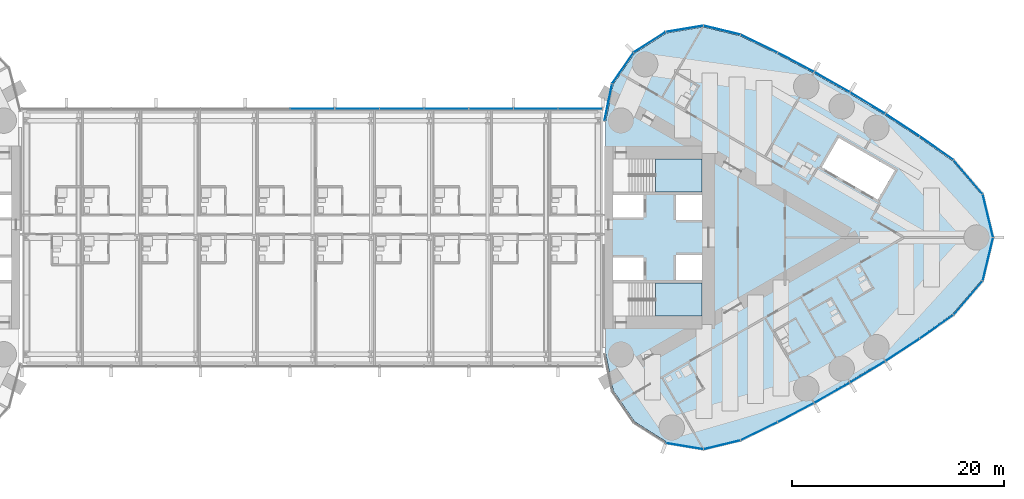
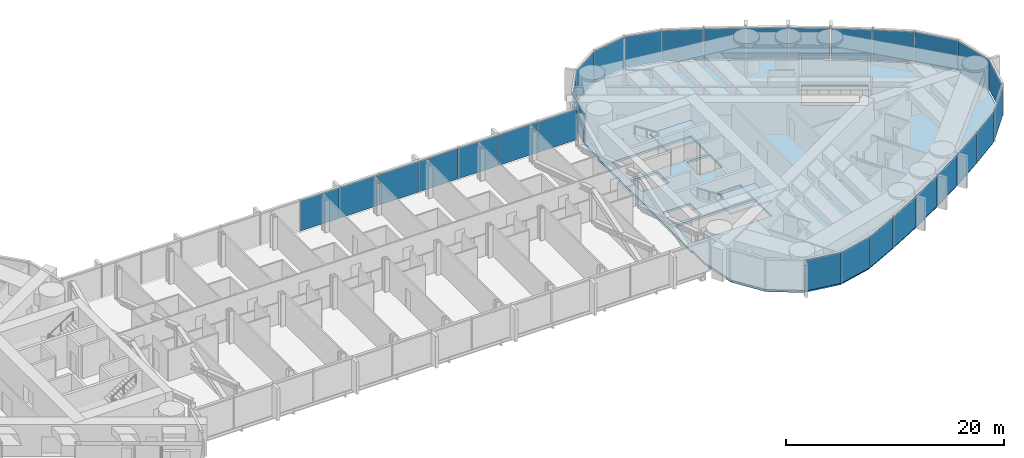
# One storey, part 13 of 23: 30 plates, 3 slabs, 4 elements without a shape of their own.
"""IFC4 building model written with IfcOpenShell, lengths in metres."""

from ifc_helpers import new_model, si_unit, direction, frame, origin, origin_2d, place, context, subcontext, project, spatial, polyline, rectangle, outline, extrude, material, layer, layer_set, type_object, element, aggregate, save


model = new_model("IFC4")

# Units and contexts
model_context = context("Model", 3, precision=1e-05, world=origin(), true_north=direction((0.0, 1.0)))
body_context = subcontext(model_context, "Body", "Model", "MODEL_VIEW")
ifc_project = project(units=[si_unit("LENGTHUNIT", "METRE"), si_unit("AREAUNIT", "SQUARE_METRE"), si_unit("VOLUMEUNIT", "CUBIC_METRE"), si_unit("PLANEANGLEUNIT", "RADIAN"), si_unit("MASSUNIT", "GRAM", prefix="KILO")], contexts=[model_context])

# Site, building, storey
site_placement = place(None, origin())
site = spatial("IfcSite", under=ifc_project, at=site_placement, CompositionType="ELEMENT")
building_placement = place(site_placement, origin())
building = spatial("IfcBuilding", under=site, at=building_placement, Name="Lancet Gate Hotel", CompositionType="ELEMENT")
storey_placement = place(building_placement, frame((0.0, 0.0, 218.89990234375)))
storey = spatial("IfcBuildingStorey", under=building, at=storey_placement, Name="L58", CompositionType="ELEMENT", Elevation=218.89990234375)

# Curtain wall, plates
ifc_material_1 = material(Name="Aluminium curtain wall", Category="aluminium")
curtain_wall_type_1 = type_object("IfcCurtainWallType", Name="Bridge block curtain wall", PredefinedType="USERDEFINED", material=ifc_material_1)
curtain_wall_1_placement = place(storey_placement, origin())
curtain_wall_1 = element("IfcCurtainWall", 1, at=curtain_wall_1_placement, inside=storey, type_object=curtain_wall_type_1, Name="Bridge block L58 curtain wall N", ObjectType="UNITISED CURTAIN WALL", PredefinedType="USERDEFINED")
ifc_material_2 = material(Name="Glass double glazed unit 8-16-6", Category="glass")
ifc_layer_1 = layer(ifc_material_2, 0.030029296875)
ifc_layer_set_1 = layer_set([ifc_layer_1], Name="Block vision panel")
plate_type_1 = type_object("IfcPlateType", Name="Block vision panel", PredefinedType="CURTAIN_PANEL", material=ifc_layer_set_1)
plate_1_placement = place(storey_placement, frame((25.24609375, 12.1201171875, 0.0), z_axis=(0.0, 0.0, 1.0), x_axis=(-1.0, 0.0, 0.0)))
plate_1 = element("IfcPlate", 2, at=plate_1_placement, type_object=plate_type_1, Name="Bridge block L58 curtain wall N panel 1", PredefinedType="CURTAIN_PANEL", context=body_context, shape_type="SweptSolid", body=[
    extrude(rectangle(XDim=4.142578125, YDim=0.030029296875, at=origin_2d()), origin(), (0.0, 0.0, 1.0), 3.449951171875),
])
plate_2_placement = place(storey_placement, frame((21.03857421875, 12.1201171875, 0.0), z_axis=(0.0, 0.0, 1.0), x_axis=(-1.0, 0.0, 0.0)))
plate_2 = element("IfcPlate", 3, at=plate_2_placement, type_object=plate_type_1, Name="Bridge block L58 curtain wall N panel 2", PredefinedType="CURTAIN_PANEL", context=body_context, shape_type="SweptSolid", body=[
    extrude(rectangle(XDim=4.142578125, YDim=0.030029296875, at=origin_2d()), origin(), (0.0, 0.0, 1.0), 3.449951171875),
])
plate_3_placement = place(storey_placement, frame((16.830810546875, 12.1201171875, 0.0), z_axis=(0.0, 0.0, 1.0), x_axis=(-1.0, 0.0, 0.0)))
plate_3 = element("IfcPlate", 4, at=plate_3_placement, type_object=plate_type_1, Name="Bridge block L58 curtain wall N panel 3", PredefinedType="CURTAIN_PANEL", context=body_context, shape_type="SweptSolid", body=[
    extrude(rectangle(XDim=4.142578125, YDim=0.030029296875, at=origin_2d()), origin(), (0.0, 0.0, 1.0), 3.449951171875),
])
plate_4_placement = place(storey_placement, frame((12.623046875, 12.1201171875, 0.0), z_axis=(0.0, 0.0, 1.0), x_axis=(-1.0, 0.0, 0.0)))
plate_4 = element("IfcPlate", 5, at=plate_4_placement, type_object=plate_type_1, Name="Bridge block L58 curtain wall N panel 4", PredefinedType="CURTAIN_PANEL", context=body_context, shape_type="SweptSolid", body=[
    extrude(rectangle(XDim=4.142578125, YDim=0.030029296875, at=origin_2d()), origin(), (0.0, 0.0, 1.0), 3.449951171875),
])
plate_5_placement = place(storey_placement, frame((8.415283203125, 12.1201171875, 0.0), z_axis=(0.0, 0.0, 1.0), x_axis=(-1.0, 0.0, 0.0)))
plate_5 = element("IfcPlate", 6, at=plate_5_placement, type_object=plate_type_1, Name="Bridge block L58 curtain wall N panel 5", PredefinedType="CURTAIN_PANEL", context=body_context, shape_type="SweptSolid", body=[
    extrude(rectangle(XDim=4.142578125, YDim=0.030029296875, at=origin_2d()), origin(), (0.0, 0.0, 1.0), 3.449951171875),
])
plate_6_placement = place(storey_placement, frame((4.207763671875, 12.1201171875, 0.0), z_axis=(0.0, 0.0, 1.0), x_axis=(-1.0, 0.0, 0.0)))
plate_6 = element("IfcPlate", 7, at=plate_6_placement, type_object=plate_type_1, Name="Bridge block L58 curtain wall N panel 6", PredefinedType="CURTAIN_PANEL", context=body_context, shape_type="SweptSolid", body=[
    extrude(rectangle(XDim=4.142578125, YDim=0.030029296875, at=origin_2d()), origin(), (0.0, 0.0, 1.0), 3.449951171875),
])
plate_7_placement = place(storey_placement, frame((0.0, 12.1201171875, 0.0), z_axis=(0.0, 0.0, 1.0), x_axis=(-1.0, 0.0, 0.0)))
plate_7 = element("IfcPlate", 8, at=plate_7_placement, type_object=plate_type_1, Name="Bridge block L58 curtain wall N panel 7", PredefinedType="CURTAIN_PANEL", context=body_context, shape_type="SweptSolid", body=[
    extrude(rectangle(XDim=4.142578125, YDim=0.030029296875, at=origin_2d()), origin(), (0.0, 0.0, 1.0), 3.449951171875),
])
aggregate(curtain_wall_1, [plate_1, plate_2, plate_3, plate_4, plate_5, plate_6, plate_7])

# Slab
ifc_material_3 = material(Name="Concrete C50/60", Category="concrete")
ifc_layer_2 = layer(ifc_material_3, 0.25)
ifc_layer_set_2 = layer_set([ifc_layer_2], Name="Floor slab 250")
slab_type_1 = type_object("IfcSlabType", Name="Floor slab 250", PredefinedType="FLOOR", material=ifc_layer_set_2)
slab_1_placement = place(storey_placement, frame((0.0, 0.0, -0.25)))
element("IfcSlab", 9, at=slab_1_placement, inside=storey, type_object=slab_type_1, Name="T2 L58 floor slab", PredefinedType="FLOOR", context=body_context, shape_type="SweptSolid", body=[
    extrude(outline(polyline([(27.5, -8.60009765625), (27.6201171875, -8.60009765625), (27.6201171875, -10.93603515625), (28.329345703125, -14.419677734375), (30.33740234375, -17.338134765625), (33.326904296875, -19.2392578125), (36.82177734375, -19.81982421875), (40.2763671875, -18.98486328125), (43.753662109375, -17.2890625), (47.18603515625, -15.47998046875), (50.5595703125, -13.56396484375), (53.87158203125, -11.54296875), (57.118408203125, -9.4189453125), (60.2861328125, -7.20166015625), (62.99658203125, -4.03759765625), (63.968017578125, 0.0), (62.99658203125, 4.03759765625), (60.2861328125, 7.20166015625), (57.118408203125, 9.4189453125), (53.87158203125, 11.54296875), (50.5595703125, 13.56396484375), (47.18603515625, 15.47998046875), (43.753662109375, 17.2890625), (40.2763671875, 18.98486328125), (36.82177734375, 19.81982421875), (33.326904296875, 19.2392578125), (30.33740234375, 17.338134765625), (28.329345703125, 14.419677734375), (27.6201171875, 10.93603515625), (27.6201171875, 8.60009765625), (27.5, 8.60009765625), (27.5, 8.199951171875), (27.5, -8.199951171875), (27.5, -8.60009765625)]), holes=[polyline([(36.699951171875, -7.39990234375), (36.699951171875, -4.300048828125), (28.300048828125, -4.300048828125), (28.300048828125, -7.39990234375), (36.699951171875, -7.39990234375)]), polyline([(28.300048828125, -4.0), (31.199951171875, -4.0), (31.199951171875, -1.89990234375), (28.300048828125, -1.89990234375), (28.300048828125, -4.0)]), polyline([(34.25, -4.0), (36.699951171875, -4.0), (36.699951171875, -1.64990234375), (34.25, -1.64990234375), (34.25, -4.0)]), polyline([(36.699951171875, 1.64990234375), (36.699951171875, 4.0), (34.25, 4.0), (34.25, 1.64990234375), (36.699951171875, 1.64990234375)]), polyline([(28.300048828125, 1.89990234375), (31.199951171875, 1.89990234375), (31.199951171875, 4.0), (28.300048828125, 4.0), (28.300048828125, 1.89990234375)]), polyline([(28.300048828125, 4.300048828125), (36.699951171875, 4.300048828125), (36.699951171875, 7.39990234375), (28.300048828125, 7.39990234375), (28.300048828125, 4.300048828125)]), polyline([(53.242919921875, 3.555908203125), (54.843017578125, 6.326904296875), (49.56103515625, 9.376953125), (47.9609375, 6.60595703125), (53.242919921875, 3.555908203125)])]), origin(), (0.0, 0.0, 1.0), 0.25),
])

# Stair, slab
ifc_material_4 = material(Name="Exit stair 20 risers 1500")
stair_type = type_object("IfcStairType", Name="Exit stair 20 risers 1500", PredefinedType="HALF_TURN_STAIR", material=ifc_material_4)
stair_1_placement = place(storey_placement, origin())
stair_1 = element("IfcStair", 10, at=stair_1_placement, inside=storey, type_object=stair_type, Name="T2 stair 1 L58", PredefinedType="HALF_TURN_STAIR")
ifc_material_5 = material(Name="Concrete C40/50", Category="concrete")
ifc_layer_3 = layer(ifc_material_5, 0.199951171875)
ifc_layer_set_3 = layer_set([ifc_layer_3], Name="Stair landing 200")
slab_type_2 = type_object("IfcSlabType", Name="Stair landing 200", PredefinedType="LANDING", material=ifc_layer_set_3)
slab_2_placement = place(storey_placement, frame((0.0, 0.0, 1.60009765625)))
slab_2 = element("IfcSlab", 11, at=slab_2_placement, type_object=slab_type_2, Name="ST3 landing 2", PredefinedType="LANDING", context=body_context, shape_type="SweptSolid", body=[
    extrude(outline(polyline([(32.320068359375, -7.39990234375), (36.699951171875, -7.39990234375), (36.699951171875, -4.300048828125), (32.320068359375, -4.300048828125), (32.320068359375, -7.39990234375)])), origin(), (0.0, 0.0, 1.0), 0.199951171875),
])
aggregate(stair_1, [slab_2])

stair_2_placement = place(storey_placement, origin())
stair_2 = element("IfcStair", 12, at=stair_2_placement, inside=storey, type_object=stair_type, Name="T2 stair 2 L58", PredefinedType="HALF_TURN_STAIR")
slab_3_placement = place(storey_placement, frame((0.0, 0.0, 1.60009765625)))
slab_3 = element("IfcSlab", 13, at=slab_3_placement, type_object=slab_type_2, Name="ST4 landing 2", PredefinedType="LANDING", context=body_context, shape_type="SweptSolid", body=[
    extrude(outline(polyline([(32.320068359375, 4.300048828125), (36.699951171875, 4.300048828125), (36.699951171875, 7.39990234375), (32.320068359375, 7.39990234375), (32.320068359375, 4.300048828125)])), origin(), (0.0, 0.0, 1.0), 0.199951171875),
])
aggregate(stair_2, [slab_3])

# Curtain wall, plates
ifc_material_6 = material(Name="Aluminium curtain wall", Category="aluminium")
curtain_wall_type_2 = type_object("IfcCurtainWallType", Name="Tower unitised curtain wall", PredefinedType="USERDEFINED", material=ifc_material_6)
curtain_wall_2_placement = place(storey_placement, origin())
curtain_wall_2 = element("IfcCurtainWall", 14, at=curtain_wall_2_placement, inside=storey, type_object=curtain_wall_type_2, Name="T2 L58 curtain wall 1", ObjectType="UNITISED CURTAIN WALL", PredefinedType="USERDEFINED")
ifc_material_7 = material(Name="Glass double glazed unit 8-16-6", Category="glass")
ifc_layer_4 = layer(ifc_material_7, 0.030029296875)
ifc_layer_set_4 = layer_set([ifc_layer_4], Name="Vision panel double glazed")
plate_type_2 = type_object("IfcPlateType", Name="Vision panel double glazed", PredefinedType="CURTAIN_PANEL", material=ifc_layer_set_4)
plate_8_placement = place(storey_placement, frame((35.0546875, -19.64794921875, 0.0), z_axis=(0.0, 0.0, 1.0), x_axis=(0.986480101775, -0.163881081283, 0.0)))
plate_8 = element("IfcPlate", 15, at=plate_8_placement, type_object=plate_type_2, Name="T2 L58 curtain wall 1 panel 4", PredefinedType="CURTAIN_PANEL", context=body_context, shape_type="SweptSolid", body=[
    extrude(rectangle(XDim=3.526611328125, YDim=0.030029296875, at=origin_2d()), origin(), (0.0, 0.0, 1.0), 3.449951171875),
])
plate_9_placement = place(storey_placement, frame((38.57177734375, -19.520263671875, 0.0), z_axis=(0.0, 0.0, 1.0), x_axis=(0.972013837597, 0.234923603582, 0.0)))
plate_9 = element("IfcPlate", 16, at=plate_9_placement, type_object=plate_type_2, Name="T2 L58 curtain wall 1 panel 5", PredefinedType="CURTAIN_PANEL", context=body_context, shape_type="SweptSolid", body=[
    extrude(rectangle(XDim=3.526611328125, YDim=0.030029296875, at=origin_2d()), origin(), (0.0, 0.0, 1.0), 3.449951171875),
])
plate_10_placement = place(storey_placement, frame((42.062744140625, -18.247314453125, 0.0), z_axis=(0.0, 0.0, 1.0), x_axis=(0.898823462202, 0.438310830114, 0.0)))
plate_10 = element("IfcPlate", 17, at=plate_10_placement, type_object=plate_type_2, Name="T2 L58 curtain wall 1 panel 6", PredefinedType="CURTAIN_PANEL", context=body_context, shape_type="SweptSolid", body=[
    extrude(rectangle(XDim=3.818603515625, YDim=0.030029296875, at=origin_2d()), origin(), (0.0, 0.0, 1.0), 3.449951171875),
])
plate_11_placement = place(storey_placement, frame((45.52587890625, -16.49072265625, 0.0), z_axis=(0.0, 0.0, 1.0), x_axis=(0.884622760861, 0.466307378204, 0.0)))
plate_11 = element("IfcPlate", 18, at=plate_11_placement, type_object=plate_type_2, Name="T2 L58 curtain wall 1 panel 7", PredefinedType="CURTAIN_PANEL", context=body_context, shape_type="SweptSolid", body=[
    extrude(rectangle(XDim=3.818603515625, YDim=0.030029296875, at=origin_2d()), origin(), (0.0, 0.0, 1.0), 3.449951171875),
])
plate_12_placement = place(storey_placement, frame((48.93212890625, -14.626220703125, 0.0), z_axis=(0.0, 0.0, 1.0), x_axis=(0.869550293306, 0.493844395951, 0.0)))
plate_12 = element("IfcPlate", 19, at=plate_12_placement, type_object=plate_type_2, Name="T2 L58 curtain wall 1 panel 8", PredefinedType="CURTAIN_PANEL", context=body_context, shape_type="SweptSolid", body=[
    extrude(rectangle(XDim=3.818603515625, YDim=0.030029296875, at=origin_2d()), origin(), (0.0, 0.0, 1.0), 3.449951171875),
])
plate_13_placement = place(storey_placement, frame((52.278076171875, -12.65576171875, 0.0), z_axis=(0.0, 0.0, 1.0), x_axis=(0.853620912967, 0.520894746513, 0.0)))
plate_13 = element("IfcPlate", 20, at=plate_13_placement, type_object=plate_type_2, Name="T2 L58 curtain wall 1 panel 9", PredefinedType="CURTAIN_PANEL", context=body_context, shape_type="SweptSolid", body=[
    extrude(rectangle(XDim=3.818603515625, YDim=0.030029296875, at=origin_2d()), origin(), (0.0, 0.0, 1.0), 3.449951171875),
])
plate_14_placement = place(storey_placement, frame((55.560791015625, -10.581298828125, 0.0), z_axis=(0.0, 0.0, 1.0), x_axis=(0.83685031771, 0.547431772688, 0.0)))
plate_14 = element("IfcPlate", 21, at=plate_14_placement, type_object=plate_type_2, Name="T2 L58 curtain wall 1 panel 10", PredefinedType="CURTAIN_PANEL", context=body_context, shape_type="SweptSolid", body=[
    extrude(rectangle(XDim=3.818603515625, YDim=0.030029296875, at=origin_2d()), origin(), (0.0, 0.0, 1.0), 3.449951171875),
])
plate_15_placement = place(storey_placement, frame((58.776611328125, -8.40478515625, 0.0), z_axis=(0.0, 0.0, 1.0), x_axis=(0.819255034386, 0.573429323137, 0.0)))
plate_15 = element("IfcPlate", 22, at=plate_15_placement, type_object=plate_type_2, Name="T2 L58 curtain wall 1 panel 11", PredefinedType="CURTAIN_PANEL", context=body_context, shape_type="SweptSolid", body=[
    extrude(rectangle(XDim=3.818603515625, YDim=0.030029296875, at=origin_2d()), origin(), (0.0, 0.0, 1.0), 3.449951171875),
])
plate_16_placement = place(storey_placement, frame((61.737060546875, -5.692626953125, 0.0), z_axis=(0.0, 0.0, 1.0), x_axis=(0.650551562434, 0.759462088991, 0.0)))
plate_16 = element("IfcPlate", 23, at=plate_16_placement, type_object=plate_type_2, Name="T2 L58 curtain wall 1 panel 12", PredefinedType="CURTAIN_PANEL", context=body_context, shape_type="SweptSolid", body=[
    extrude(rectangle(XDim=4.1455078125, YDim=0.030029296875, at=origin_2d()), origin(), (0.0, 0.0, 1.0), 3.449951171875),
])
plate_17_placement = place(storey_placement, frame((63.598876953125, -2.046875, 0.0), z_axis=(0.0, 0.0, 1.0), x_axis=(0.233916001796, 0.972256809749, 0.0)))
plate_17 = element("IfcPlate", 24, at=plate_17_placement, type_object=plate_type_2, Name="T2 L58 curtain wall 1 panel 13", PredefinedType="CURTAIN_PANEL", context=body_context, shape_type="SweptSolid", body=[
    extrude(rectangle(XDim=4.1455078125, YDim=0.030029296875, at=origin_2d()), origin(), (0.0, 0.0, 1.0), 3.449951171875),
])
plate_18_placement = place(storey_placement, frame((63.598876953125, 2.046875, 0.0), z_axis=(0.0, 0.0, 1.0), x_axis=(-0.233916001796, 0.972256809749, 0.0)))
plate_18 = element("IfcPlate", 25, at=plate_18_placement, type_object=plate_type_2, Name="T2 L58 curtain wall 1 panel 14", PredefinedType="CURTAIN_PANEL", context=body_context, shape_type="SweptSolid", body=[
    extrude(rectangle(XDim=4.1455078125, YDim=0.030029296875, at=origin_2d()), origin(), (0.0, 0.0, 1.0), 3.449951171875),
])
plate_19_placement = place(storey_placement, frame((61.737060546875, 5.692626953125, 0.0), z_axis=(0.0, 0.0, 1.0), x_axis=(-0.650551562434, 0.759462088991, 0.0)))
plate_19 = element("IfcPlate", 26, at=plate_19_placement, type_object=plate_type_2, Name="T2 L58 curtain wall 1 panel 15", PredefinedType="CURTAIN_PANEL", context=body_context, shape_type="SweptSolid", body=[
    extrude(rectangle(XDim=4.1455078125, YDim=0.030029296875, at=origin_2d()), origin(), (0.0, 0.0, 1.0), 3.449951171875),
])
plate_20_placement = place(storey_placement, frame((58.776611328125, 8.40478515625, 0.0), z_axis=(0.0, 0.0, 1.0), x_axis=(-0.819255034386, 0.573429323137, 0.0)))
plate_20 = element("IfcPlate", 27, at=plate_20_placement, type_object=plate_type_2, Name="T2 L58 curtain wall 1 panel 16", PredefinedType="CURTAIN_PANEL", context=body_context, shape_type="SweptSolid", body=[
    extrude(rectangle(XDim=3.818603515625, YDim=0.030029296875, at=origin_2d()), origin(), (0.0, 0.0, 1.0), 3.449951171875),
])
plate_21_placement = place(storey_placement, frame((55.560791015625, 10.581298828125, 0.0), z_axis=(0.0, 0.0, 1.0), x_axis=(-0.83685031771, 0.547431772688, 0.0)))
plate_21 = element("IfcPlate", 28, at=plate_21_placement, type_object=plate_type_2, Name="T2 L58 curtain wall 1 panel 17", PredefinedType="CURTAIN_PANEL", context=body_context, shape_type="SweptSolid", body=[
    extrude(rectangle(XDim=3.818603515625, YDim=0.030029296875, at=origin_2d()), origin(), (0.0, 0.0, 1.0), 3.449951171875),
])
plate_22_placement = place(storey_placement, frame((52.278076171875, 12.65576171875, 0.0), z_axis=(0.0, 0.0, 1.0), x_axis=(-0.853620912967, 0.520894746513, 0.0)))
plate_22 = element("IfcPlate", 29, at=plate_22_placement, type_object=plate_type_2, Name="T2 L58 curtain wall 1 panel 18", PredefinedType="CURTAIN_PANEL", context=body_context, shape_type="SweptSolid", body=[
    extrude(rectangle(XDim=3.818603515625, YDim=0.030029296875, at=origin_2d()), origin(), (0.0, 0.0, 1.0), 3.449951171875),
])
plate_23_placement = place(storey_placement, frame((48.93212890625, 14.626220703125, 0.0), z_axis=(0.0, 0.0, 1.0), x_axis=(-0.869550293306, 0.493844395951, 0.0)))
plate_23 = element("IfcPlate", 30, at=plate_23_placement, type_object=plate_type_2, Name="T2 L58 curtain wall 1 panel 19", PredefinedType="CURTAIN_PANEL", context=body_context, shape_type="SweptSolid", body=[
    extrude(rectangle(XDim=3.818603515625, YDim=0.030029296875, at=origin_2d()), origin(), (0.0, 0.0, 1.0), 3.449951171875),
])
plate_24_placement = place(storey_placement, frame((45.52587890625, 16.49072265625, 0.0), z_axis=(0.0, 0.0, 1.0), x_axis=(-0.884622760861, 0.466307378204, 0.0)))
plate_24 = element("IfcPlate", 31, at=plate_24_placement, type_object=plate_type_2, Name="T2 L58 curtain wall 1 panel 20", PredefinedType="CURTAIN_PANEL", context=body_context, shape_type="SweptSolid", body=[
    extrude(rectangle(XDim=3.818603515625, YDim=0.030029296875, at=origin_2d()), origin(), (0.0, 0.0, 1.0), 3.449951171875),
])
plate_25_placement = place(storey_placement, frame((42.062744140625, 18.247314453125, 0.0), z_axis=(0.0, 0.0, 1.0), x_axis=(-0.898823462202, 0.438310830114, 0.0)))
plate_25 = element("IfcPlate", 32, at=plate_25_placement, type_object=plate_type_2, Name="T2 L58 curtain wall 1 panel 21", PredefinedType="CURTAIN_PANEL", context=body_context, shape_type="SweptSolid", body=[
    extrude(rectangle(XDim=3.818603515625, YDim=0.030029296875, at=origin_2d()), origin(), (0.0, 0.0, 1.0), 3.449951171875),
])
plate_26_placement = place(storey_placement, frame((38.57177734375, 19.520263671875, 0.0), z_axis=(0.0, 0.0, 1.0), x_axis=(-0.972013837597, 0.234923603582, 0.0)))
plate_26 = element("IfcPlate", 33, at=plate_26_placement, type_object=plate_type_2, Name="T2 L58 curtain wall 1 panel 22", PredefinedType="CURTAIN_PANEL", context=body_context, shape_type="SweptSolid", body=[
    extrude(rectangle(XDim=3.526611328125, YDim=0.030029296875, at=origin_2d()), origin(), (0.0, 0.0, 1.0), 3.449951171875),
])
plate_27_placement = place(storey_placement, frame((35.0546875, 19.64794921875, 0.0), z_axis=(0.0, 0.0, 1.0), x_axis=(-0.986480101775, -0.163881081283, 0.0)))
plate_27 = element("IfcPlate", 34, at=plate_27_placement, type_object=plate_type_2, Name="T2 L58 curtain wall 1 panel 23", PredefinedType="CURTAIN_PANEL", context=body_context, shape_type="SweptSolid", body=[
    extrude(rectangle(XDim=3.526611328125, YDim=0.030029296875, at=origin_2d()), origin(), (0.0, 0.0, 1.0), 3.449951171875),
])
plate_28_placement = place(storey_placement, frame((31.767822265625, 18.389892578125, 0.0), z_axis=(0.0, 0.0, 1.0), x_axis=(-0.843845020422, -0.536586974785, 0.0)))
plate_28 = element("IfcPlate", 35, at=plate_28_placement, type_object=plate_type_2, Name="T2 L58 curtain wall 1 panel 24", PredefinedType="CURTAIN_PANEL", context=body_context, shape_type="SweptSolid", body=[
    extrude(rectangle(XDim=3.526611328125, YDim=0.030029296875, at=origin_2d()), origin(), (0.0, 0.0, 1.0), 3.449951171875),
])
plate_29_placement = place(storey_placement, frame((29.234619140625, 15.947021484375, 0.0), z_axis=(0.0, 0.0, 1.0), x_axis=(-0.566823864908, -0.823839005007, 0.0)))
plate_29 = element("IfcPlate", 36, at=plate_29_placement, type_object=plate_type_2, Name="T2 L58 curtain wall 1 panel 25", PredefinedType="CURTAIN_PANEL", context=body_context, shape_type="SweptSolid", body=[
    extrude(rectangle(XDim=3.526611328125, YDim=0.030029296875, at=origin_2d()), origin(), (0.0, 0.0, 1.0), 3.449951171875),
])
plate_30_placement = place(storey_placement, frame((27.8583984375, 12.707763671875, 0.0), z_axis=(0.0, 0.0, 1.0), x_axis=(-0.199533486841, -0.979891008036, 0.0)))
plate_30 = element("IfcPlate", 37, at=plate_30_placement, type_object=plate_type_2, Name="T2 L58 curtain wall 1 panel 26", PredefinedType="CURTAIN_PANEL", context=body_context, shape_type="SweptSolid", body=[
    extrude(rectangle(XDim=3.526611328125, YDim=0.030029296875, at=origin_2d()), origin(), (0.0, 0.0, 1.0), 3.449951171875),
])
aggregate(curtain_wall_2, [plate_8, plate_9, plate_10, plate_11, plate_12, plate_13, plate_14, plate_15, plate_16, plate_17, plate_18, plate_19, plate_20, plate_21, plate_22, plate_23, plate_24, plate_25, plate_26, plate_27, plate_28, plate_29, plate_30])

save(model, "model.ifc")
